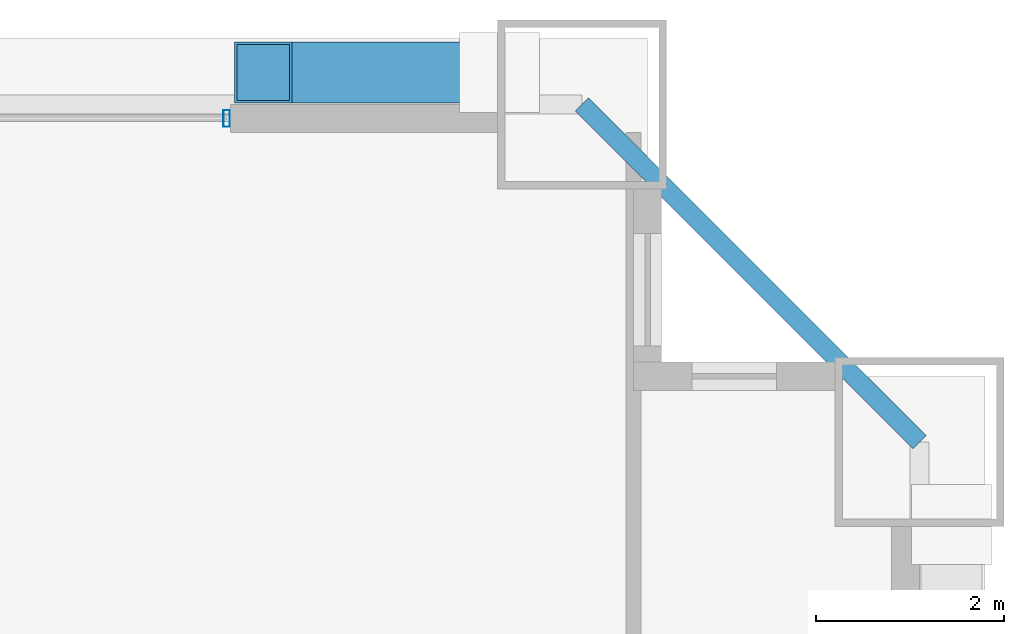
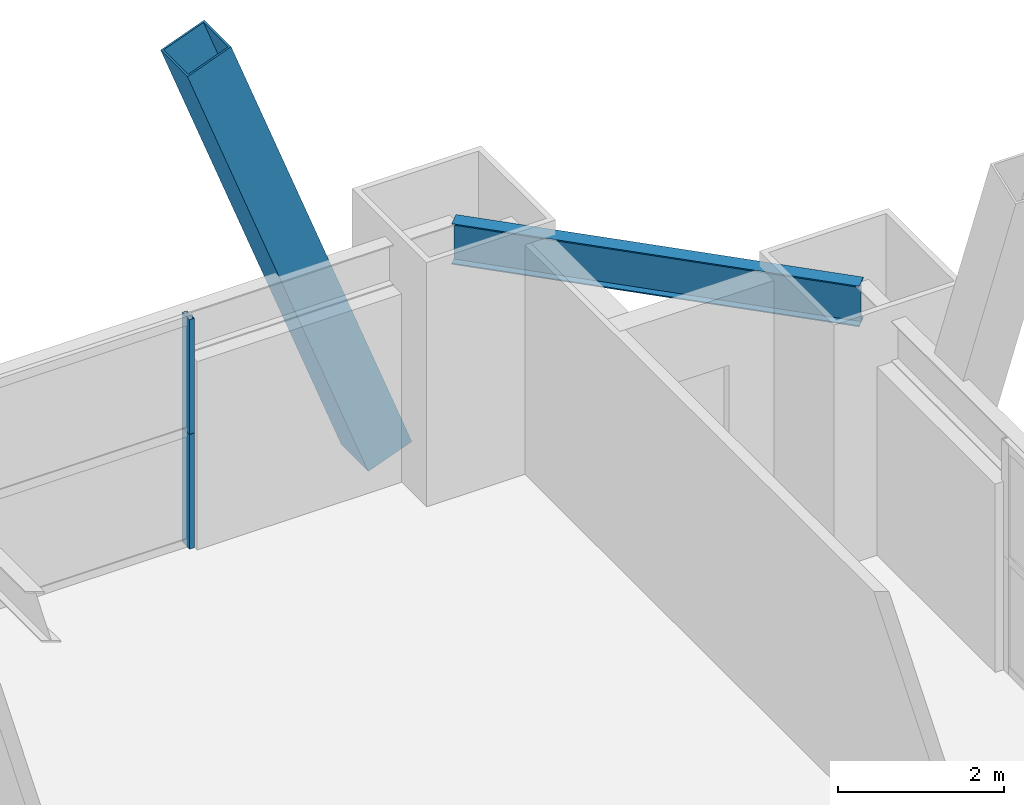
# One storey, part 37 of 43: 3 members, 1 beam, 1 element without a shape of its own.
"""IFC4 building model written with IfcOpenShell, lengths in metres."""

from ifc_helpers import new_model, si_unit, direction, frame, origin, origin_2d, place, context, subcontext, project, spatial, hollow_rectangle, i_section, extrude, source, transform, mapped, material, layer, layer_set, material_profile, profile_set, type_object, element, aggregate, save


model = new_model("IFC4")

# Units and contexts
model_context = context("Model", 3, precision=1e-05, world=origin(), true_north=direction((0.0, 1.0)))
body_context = subcontext(model_context, "Body", "Model", "MODEL_VIEW")
ifc_project = project(units=[si_unit("LENGTHUNIT", "METRE"), si_unit("AREAUNIT", "SQUARE_METRE"), si_unit("VOLUMEUNIT", "CUBIC_METRE"), si_unit("PLANEANGLEUNIT", "RADIAN"), si_unit("MASSUNIT", "GRAM", prefix="KILO"), si_unit("THERMODYNAMICTEMPERATUREUNIT", "KELVIN"), si_unit("POWERUNIT", "WATT")], contexts=[model_context])

# Site, building, storey
site_placement = place(None, origin())
site = spatial("IfcSite", under=ifc_project, at=site_placement, CompositionType="ELEMENT")
building_placement = place(site_placement, origin())
building = spatial("IfcBuilding", under=site, at=building_placement, Name="Yuzanri Waterfront Tower", CompositionType="ELEMENT")
storey_placement = place(building_placement, frame((0.0, 0.0, 60.39990234375)))
storey = spatial("IfcBuildingStorey", under=building, at=storey_placement, Name="L15", CompositionType="ELEMENT", Elevation=60.39990234375)

# Beam
ifc_material_1 = material(Name="Steel Q355B", Category="steel")
ifc_material_profile_1 = material_profile(ifc_material_1, i_section(OverallWidth=0.199951171875, OverallDepth=0.60009765625, WebThickness=0.010986328125, FlangeThickness=0.01708984375, at=origin_2d()), Name="HN 600x200x11x17")
ifc_profile_set_1 = profile_set([ifc_material_profile_1], Name="Steel Q355B")
beam_type = type_object("IfcBeamType", Name="Perimeter Spandrel Q355B HN 600x200", PredefinedType="SPANDREL", material=ifc_profile_set_1)
shared_shape_1 = source(origin(), body_context, "Body", "SweptSolid", [
    extrude(i_section(OverallWidth=0.199951171875, OverallDepth=0.60009765625, WebThickness=0.010986328125, FlangeThickness=0.01708984375, at=origin_2d()), origin(), (0.0, 0.0, 1.0), 5.091064453125),
])
beam_placement = place(storey_placement, frame((62.10009765625, 47.300048828125, 3.080078125), z_axis=(-0.707130757816, 0.707082803744, 0.0), x_axis=(-0.707082803744, -0.707130757816, 0.0)))
element("IfcBeam", 1, at=beam_placement, inside=storey, type_object=beam_type, Name="L15 Perimeter Spandrel E3-N3", PredefinedType="SPANDREL", context=body_context, shape_type="MappedRepresentation", body=[
    mapped(shared_shape_1, transform((0.0, 0.0, 0.0), scale=1.0)),
])

# Member
ifc_material_2 = material(Name="Steel Q420GJC", Category="steel")
ifc_material_profile_2 = material_profile(ifc_material_2, hollow_rectangle(XDim=0.64990234375, YDim=0.64990234375, WallThickness=0.028076171875, at=origin_2d()), Name="RHS 650x650x28")
ifc_profile_set_2 = profile_set([ifc_material_profile_2], Name="Steel Q420GJC")
member_type_1 = type_object("IfcMemberType", Name="Mega Brace Lower Q420GJC RHS 650x650x28", PredefinedType="BRACE", material=ifc_profile_set_2)
shared_shape_2 = source(origin(), body_context, "Body", "SweptSolid", [
    extrude(hollow_rectangle(XDim=0.64990234375, YDim=0.64990234375, WallThickness=0.028076171875, at=origin_2d()), origin(), (0.0, 0.0, 1.0), 7.158203125),
])
member_1_placement = place(storey_placement, frame((57.6201171875, 51.239990234375, 0.18017578125), z_axis=(-0.352046480343, 0.0, 0.935982518896), x_axis=(0.0, -1.0, 0.0)))
element("IfcMember", 2, at=member_1_placement, inside=storey, type_object=member_type_1, Name="L15-L16 Perimeter Mega-Brace N-R", PredefinedType="BRACE", context=body_context, shape_type="MappedRepresentation", body=[
    mapped(shared_shape_2, transform((0.0, 0.0, 0.0), scale=1.0)),
])

# Curtain wall, members
ifc_material_3 = material(Name="Anodized Architectural Bronze", Category="metal")
ifc_layer = layer(ifc_material_3, 0.159912109375)
ifc_layer_set = layer_set([ifc_layer], Name="Anodized Architectural Bronze")
curtain_wall_type = type_object("IfcCurtainWallType", Name="Anodized Bronze Hotel Lower-Tier Recessed Unitized Curtain Wall 8100", PredefinedType="NOTDEFINED", material=ifc_layer_set)
curtain_wall_placement = place(storey_placement, origin())
curtain_wall = element("IfcCurtainWall", 3, at=curtain_wall_placement, inside=storey, type_object=curtain_wall_type, Name="L15 Curtain Wall CW-L15-NR", PredefinedType="NOTDEFINED")
ifc_material_4 = material(Name="Anodized Architectural Bronze", Category="metal")
ifc_material_profile_3 = material_profile(ifc_material_4, hollow_rectangle(XDim=0.070068359375, YDim=0.179931640625, WallThickness=0.00390625, at=origin_2d()), Name="CWM 70x180")
ifc_profile_set_3 = profile_set([ifc_material_profile_3], Name="Anodized Architectural Bronze")
member_type_2 = type_object("IfcMemberType", Name="Anodized Bronze Standard Curtain-Wall Mullion 70x180", PredefinedType="MULLION", material=ifc_profile_set_3)
shared_shape_3 = source(origin(), body_context, "Body", "SweptSolid", [
    extrude(hollow_rectangle(XDim=0.070068359375, YDim=0.179931640625, WallThickness=0.00390625, at=origin_2d()), origin(), (0.0, 0.0, 1.0), 1.68798828125),
])
member_2_placement = place(storey_placement, frame((54.7099609375, 50.75, 0.0), z_axis=(0.0, 0.0, 1.0), x_axis=(1.0, 0.0, 0.0)))
member_2 = element("IfcMember", 4, at=member_2_placement, type_object=member_type_2, Name="CW-L15-NR Lower Mullion 02", PredefinedType="MULLION", context=body_context, shape_type="MappedRepresentation", body=[
    mapped(shared_shape_3, transform((0.0, 0.0, 0.0), scale=1.0)),
])
member_3_placement = place(storey_placement, frame((54.7099609375, 50.75, 1.692138671875), z_axis=(0.0, 0.0, 1.0), x_axis=(1.0, 0.0, 0.0)))
member_3 = element("IfcMember", 5, at=member_3_placement, type_object=member_type_2, Name="CW-L15-NR Upper Mullion 02", PredefinedType="MULLION", context=body_context, shape_type="MappedRepresentation", body=[
    mapped(shared_shape_3, transform((0.0, 0.0, 0.0), scale=1.0)),
])
aggregate(curtain_wall, [member_2, member_3])

save(model, "model.ifc")
